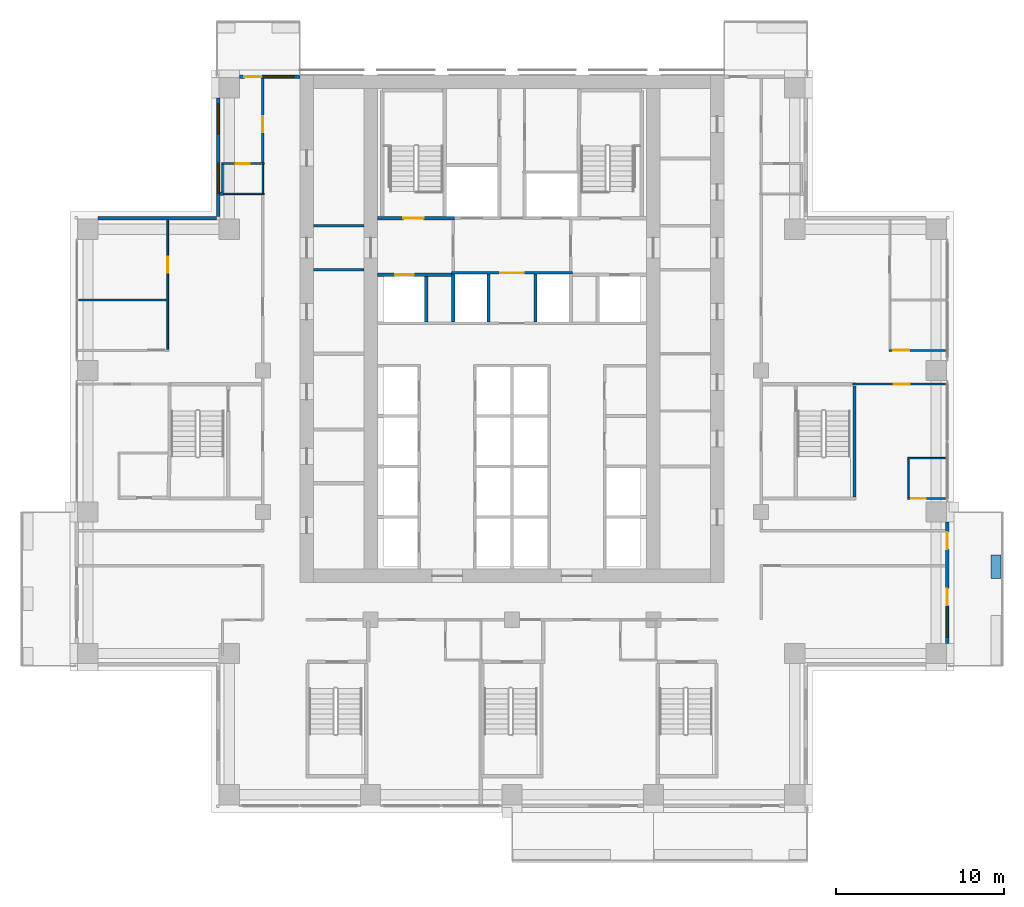
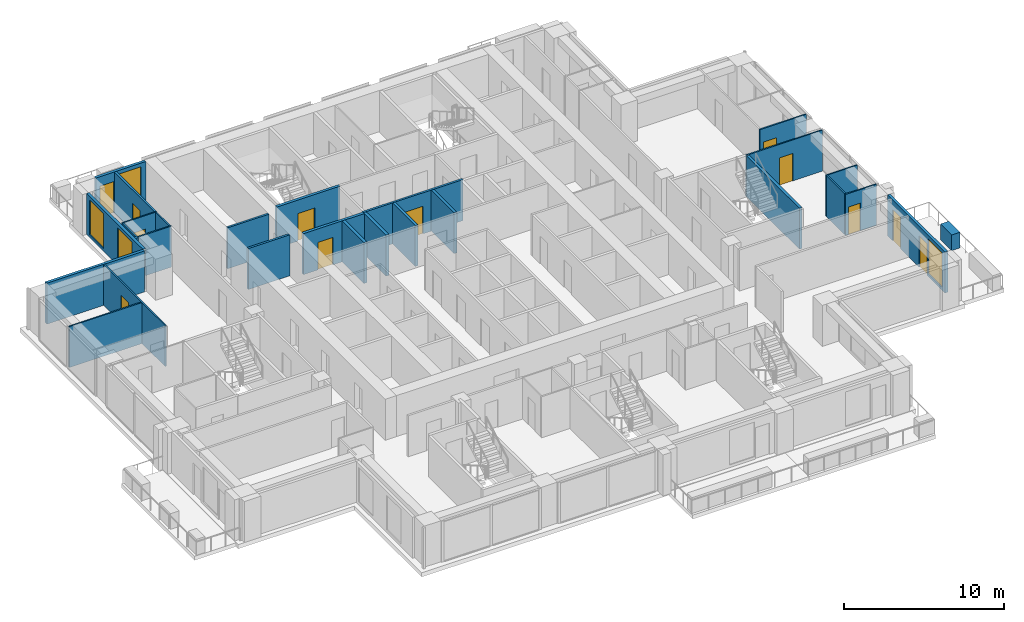
# One storey, part 12 of 18: 28 walls, 12 doors, 4 windows, 16 openings.
"""IFC4 building model written with IfcOpenShell, lengths in metres."""

from ifc_helpers import new_model, si_unit, direction, frame, frame_2d, origin, place, context, subcontext, project, spatial, rectangle, extrude, material, layer, layer_set, type_object, element, fill, save


model = new_model("IFC4")

# Units and contexts
model_context = context("Model", 3, precision=1e-05, world=origin(), true_north=direction((0.0, 1.0)))
body_context = subcontext(model_context, "Body", "Model", "MODEL_VIEW")
ifc_project = project(units=[si_unit("LENGTHUNIT", "METRE"), si_unit("AREAUNIT", "SQUARE_METRE"), si_unit("VOLUMEUNIT", "CUBIC_METRE"), si_unit("PLANEANGLEUNIT", "RADIAN"), si_unit("MASSUNIT", "GRAM", prefix="KILO")], contexts=[model_context])

# Site, building, storey
site_placement = place(None, origin())
site = spatial("IfcSite", under=ifc_project, at=site_placement, CompositionType="ELEMENT")
building_placement = place(site_placement, origin())
building = spatial("IfcBuilding", under=site, at=building_placement, Name="Vermilion Ogive Tower", CompositionType="ELEMENT")
storey_placement = place(building_placement, frame((0.0, 0.0, 94.199951171875)))
storey = spatial("IfcBuildingStorey", under=building, at=storey_placement, Name="L23", CompositionType="ELEMENT", Elevation=94.199951171875)

# Wall, opening, door
ifc_material_1 = material(Name="Gypsum board partition on steel studs", Category="steel")
ifc_layer_1 = layer(ifc_material_1, 0.10009765625)
ifc_layer_set_1 = layer_set([ifc_layer_1], Name="Partition 100 bath")
wall_type_1 = type_object("IfcWallType", Name="Partition 100 bath", PredefinedType="PARTITIONING", material=ifc_layer_set_1)
wall_1_placement = place(storey_placement, frame((23.501953125, -3.39990234375, 0.0), z_axis=(0.0, 0.0, 1.0), x_axis=(1.0, 0.0, 0.0)))
wall_1 = element("IfcWall", 1, at=wall_1_placement, inside=storey, type_object=wall_type_1, Name="L23-W-W020", PredefinedType="PARTITIONING", context=body_context, shape_type="SweptSolid", body=[
    extrude(rectangle(XDim=2.248046875, YDim=0.10009765625, at=frame_2d((1.1240234375, 0.0))), origin(), (0.0, 0.0, 1.0), 3.130126953125),
])
opening_1_placement = place(wall_1_placement, frame((0.222900390625, 0.0, 0.0)))
opening_1 = element("IfcOpeningElement", 2, at=opening_1_placement, cuts=wall_1, Name="Opening D2G2019", PredefinedType="OPENING", context=body_context, shape_type="SweptSolid", body=[
    extrude(rectangle(XDim=0.85009765625, YDim=2.10009765625, at=frame_2d((0.425048828125, 1.050048828125))), frame((0.0, 0.06005859375, 0.0), z_axis=(0.0, -1.0, 0.0), x_axis=(1.0, 0.0, 0.0)), (0.0, 0.0, 1.0), 0.1201171875),
])
ifc_material_2 = material(Name="Timber door leaf", Category="wood")
door_type_1 = type_object("IfcDoorType", Name="Bath door 850 x 2100 FD30", OperationType="SINGLE_SWING_LEFT", PredefinedType="DOOR", material=ifc_material_2)
door_1_placement = place(opening_1_placement, origin())
door_1 = element("IfcDoor", 3, at=door_1_placement, inside=storey, type_object=door_type_1, Name="L23-D-D019", OperationType="SINGLE_SWING_LEFT", OverallHeight=2.10009765625, OverallWidth=0.85009765625, PredefinedType="DOOR", context=body_context, shape_type="SweptSolid", body=[
    extrude(rectangle(XDim=0.85009765625, YDim=2.10009765625, at=frame_2d((0.425048828125, 1.050048828125))), frame((0.0, 0.02490234375, 0.0), z_axis=(0.0, -1.0, 0.0), x_axis=(1.0, 0.0, 0.0)), (0.0, 0.0, 1.0), 0.050048828125),
])
fill(opening_1, door_1)

# Walls
wall_2_placement = place(storey_placement, frame((23.501953125, -1.0, 0.0), z_axis=(0.0, 0.0, 1.0), x_axis=(1.0, 0.0, 0.0)))
element("IfcWall", 4, at=wall_2_placement, inside=storey, type_object=wall_type_1, Name="L23-W-W021", PredefinedType="PARTITIONING", context=body_context, shape_type="SweptSolid", body=[
    extrude(rectangle(XDim=2.248046875, YDim=0.10009765625, at=frame_2d((1.1240234375, 0.0))), origin(), (0.0, 0.0, 1.0), 3.130126953125),
])
wall_3_placement = place(storey_placement, frame((-17.25, 14.699951171875, 0.0), z_axis=(0.0, 0.0, 1.0), x_axis=(1.0, 0.0, 0.0)))
element("IfcWall", 5, at=wall_3_placement, inside=storey, type_object=wall_type_1, Name="L23-W-W032", PredefinedType="PARTITIONING", context=body_context, shape_type="SweptSolid", body=[
    extrude(rectangle(XDim=2.52490234375, YDim=0.10009765625, at=frame_2d((1.262451171875, 0.0))), origin(), (0.0, 0.0, 1.0), 3.130126953125),
])

# Wall, opening, door
wall_4_placement = place(storey_placement, frame((-17.25, 16.5, 0.0), z_axis=(0.0, 0.0, 1.0), x_axis=(1.0, 0.0, 0.0)))
wall_4 = element("IfcWall", 6, at=wall_4_placement, inside=storey, type_object=wall_type_1, Name="L23-W-W035", PredefinedType="PARTITIONING", context=body_context, shape_type="SweptSolid", body=[
    extrude(rectangle(XDim=2.52490234375, YDim=0.10009765625, at=frame_2d((1.262451171875, 0.0))), origin(), (0.0, 0.0, 1.0), 3.130126953125),
])
opening_2_placement = place(wall_4_placement, frame((0.824951171875, 0.0, 0.0)))
opening_2 = element("IfcOpeningElement", 7, at=opening_2_placement, cuts=wall_4, Name="Opening D2G2009", PredefinedType="OPENING", context=body_context, shape_type="SweptSolid", body=[
    extrude(rectangle(XDim=0.85009765625, YDim=2.10009765625, at=frame_2d((0.425048828125, 1.050048828125))), frame((0.0, 0.06005859375, 0.0), z_axis=(0.0, -1.0, 0.0), x_axis=(1.0, 0.0, 0.0)), (0.0, 0.0, 1.0), 0.1201171875),
])
door_2_placement = place(opening_2_placement, origin())
door_2 = element("IfcDoor", 8, at=door_2_placement, inside=storey, type_object=door_type_1, Name="L23-D-D009", OperationType="SINGLE_SWING_RIGHT", OverallHeight=2.10009765625, OverallWidth=0.85009765625, PredefinedType="DOOR", context=body_context, shape_type="SweptSolid", body=[
    extrude(rectangle(XDim=0.85009765625, YDim=2.10009765625, at=frame_2d((0.425048828125, 1.050048828125))), frame((0.0, 0.02490234375, 0.0), z_axis=(0.0, -1.0, 0.0), x_axis=(1.0, 0.0, 0.0)), (0.0, 0.0, 1.0), 0.050048828125),
])
fill(opening_2, door_2)

# Walls
wall_5_placement = place(storey_placement, frame((-17.199951171875, 14.800048828125, 0.0), z_axis=(0.0, 0.0, 1.0), x_axis=(0.0, 1.0, 0.0)))
element("IfcWall", 9, at=wall_5_placement, inside=storey, type_object=wall_type_1, Name="L23-W-W042", PredefinedType="PARTITIONING", context=body_context, shape_type="SweptSolid", body=[
    extrude(rectangle(XDim=1.64990234375, YDim=0.10009765625, at=frame_2d((0.824951171875, 0.0))), origin(), (0.0, 0.0, 1.0), 3.130126953125),
])
wall_6_placement = place(storey_placement, frame((-14.800048828125, 14.75, 0.0), z_axis=(0.0, 0.0, 1.0), x_axis=(0.0, 1.0, 0.0)))
element("IfcWall", 10, at=wall_6_placement, inside=storey, type_object=wall_type_1, Name="L23-W-W046", PredefinedType="PARTITIONING", context=body_context, shape_type="SweptSolid", body=[
    extrude(rectangle(XDim=1.699951171875, YDim=0.10009765625, at=frame_2d((0.85009765625, 0.0))), origin(), (0.0, 0.0, 1.0), 3.130126953125),
])
wall_7_placement = place(storey_placement, frame((23.550048828125, -3.347900390625, 0.0), z_axis=(0.0, 0.0, 1.0), x_axis=(0.0, 1.0, 0.0)))
element("IfcWall", 11, at=wall_7_placement, inside=storey, type_object=wall_type_1, Name="L23-W-W065", PredefinedType="PARTITIONING", context=body_context, shape_type="SweptSolid", body=[
    extrude(rectangle(XDim=2.2958984375, YDim=0.10009765625, at=frame_2d((1.14794921875, 0.0))), origin(), (0.0, 0.0, 1.0), 3.130126953125),
])

# Wall, opening, door
ifc_material_3 = material(Name="Gypsum board partition on steel studs", Category="steel")
ifc_layer_2 = layer(ifc_material_3, 0.10009765625)
ifc_layer_set_2 = layer_set([ifc_layer_2], Name="Partition 100 inner")
wall_type_2 = type_object("IfcWallType", Name="Partition 100 inner", PredefinedType="PARTITIONING", material=ifc_layer_set_2)
wall_8_placement = place(storey_placement, frame((20.25, 3.39990234375, 0.0), z_axis=(0.0, 0.0, 1.0), x_axis=(1.0, 0.0, 0.0)))
wall_8 = element("IfcWall", 12, at=wall_8_placement, inside=storey, type_object=wall_type_2, Name="L23-W-W026", PredefinedType="PARTITIONING", context=body_context, shape_type="SweptSolid", body=[
    extrude(rectangle(XDim=5.5, YDim=0.10009765625, at=frame_2d((2.75, 0.0))), origin(), (0.0, 0.0, 1.0), 3.130126953125),
])
opening_3_placement = place(wall_8_placement, frame((2.425048828125, 0.0, 0.0)))
opening_3 = element("IfcOpeningElement", 13, at=opening_3_placement, cuts=wall_8, Name="Opening D2G2018", PredefinedType="OPENING", context=body_context, shape_type="SweptSolid", body=[
    extrude(rectangle(XDim=0.949951171875, YDim=2.10009765625, at=frame_2d((0.47509765625, 1.050048828125))), frame((0.0, 0.06005859375, 0.0), z_axis=(0.0, -1.0, 0.0), x_axis=(1.0, 0.0, 0.0)), (0.0, 0.0, 1.0), 0.1201171875),
])
ifc_material_4 = material(Name="Timber door leaf", Category="wood")
door_type_2 = type_object("IfcDoorType", Name="Inner door 950 x 2100 FD30", OperationType="SINGLE_SWING_LEFT", PredefinedType="DOOR", material=ifc_material_4)
door_3_placement = place(opening_3_placement, origin())
door_3 = element("IfcDoor", 14, at=door_3_placement, inside=storey, type_object=door_type_2, Name="L23-D-D018", OperationType="SINGLE_SWING_LEFT", OverallHeight=2.10009765625, OverallWidth=0.949951171875, PredefinedType="DOOR", context=body_context, shape_type="SweptSolid", body=[
    extrude(rectangle(XDim=0.949951171875, YDim=2.10009765625, at=frame_2d((0.47509765625, 1.050048828125))), frame((0.0, 0.02490234375, 0.0), z_axis=(0.0, -1.0, 0.0), x_axis=(1.0, 0.0, 0.0)), (0.0, 0.0, 1.0), 0.050048828125),
])
fill(opening_3, door_3)

wall_9_placement = place(storey_placement, frame((22.39990234375, 5.39990234375, 0.0), z_axis=(0.0, 0.0, 1.0), x_axis=(1.0, 0.0, 0.0)))
wall_9 = element("IfcWall", 15, at=wall_9_placement, inside=storey, type_object=wall_type_2, Name="L23-W-W028", PredefinedType="PARTITIONING", context=body_context, shape_type="SweptSolid", body=[
    extrude(rectangle(XDim=3.35009765625, YDim=0.10009765625, at=frame_2d((1.675048828125, 0.0))), origin(), (0.0, 0.0, 1.0), 3.130126953125),
])
opening_4_placement = place(wall_9_placement, frame((0.25, 0.0, 0.0)))
opening_4 = element("IfcOpeningElement", 16, at=opening_4_placement, cuts=wall_9, Name="Opening D2G2015", PredefinedType="OPENING", context=body_context, shape_type="SweptSolid", body=[
    extrude(rectangle(XDim=0.949951171875, YDim=2.10009765625, at=frame_2d((0.47509765625, 1.050048828125))), frame((0.0, 0.06005859375, 0.0), z_axis=(0.0, -1.0, 0.0), x_axis=(1.0, 0.0, 0.0)), (0.0, 0.0, 1.0), 0.1201171875),
])
door_4_placement = place(opening_4_placement, origin())
door_4 = element("IfcDoor", 17, at=door_4_placement, inside=storey, type_object=door_type_2, Name="L23-D-D015", OperationType="SINGLE_SWING_LEFT", OverallHeight=2.10009765625, OverallWidth=0.949951171875, PredefinedType="DOOR", context=body_context, shape_type="SweptSolid", body=[
    extrude(rectangle(XDim=0.949951171875, YDim=2.10009765625, at=frame_2d((0.47509765625, 1.050048828125))), frame((0.0, 0.02490234375, 0.0), z_axis=(0.0, -1.0, 0.0), x_axis=(1.0, 0.0, 0.0)), (0.0, 0.0, 1.0), 0.050048828125),
])
fill(opening_4, door_4)

# Wall
wall_10_placement = place(storey_placement, frame((-25.75, 8.39990234375, 0.0), z_axis=(0.0, 0.0, 1.0), x_axis=(1.0, 0.0, 0.0)))
element("IfcWall", 18, at=wall_10_placement, inside=storey, type_object=wall_type_2, Name="L23-W-W029", PredefinedType="PARTITIONING", context=body_context, shape_type="SweptSolid", body=[
    extrude(rectangle(XDim=5.25, YDim=0.10009765625, at=frame_2d((2.625, 0.0))), origin(), (0.0, 0.0, 1.0), 3.130126953125),
])

# Wall, opening, door
wall_11_placement = place(storey_placement, frame((-20.449951171875, 5.449951171875, 0.0), z_axis=(0.0, 0.0, 1.0), x_axis=(0.0, 1.0, 0.0)))
wall_11 = element("IfcWall", 19, at=wall_11_placement, inside=storey, type_object=wall_type_2, Name="L23-W-W038", PredefinedType="PARTITIONING", context=body_context, shape_type="SweptSolid", body=[
    extrude(rectangle(XDim=7.699951171875, YDim=0.10009765625, at=frame_2d((3.85009765625, 0.0))), origin(), (0.0, 0.0, 1.0), 3.130126953125),
])
opening_5_placement = place(wall_11_placement, frame((4.574951171875, 0.0, 0.0)))
opening_5 = element("IfcOpeningElement", 20, at=opening_5_placement, cuts=wall_11, Name="Opening D2G2004", PredefinedType="OPENING", context=body_context, shape_type="SweptSolid", body=[
    extrude(rectangle(XDim=0.949951171875, YDim=2.10009765625, at=frame_2d((0.47509765625, 1.050048828125))), frame((0.0, 0.06005859375, 0.0), z_axis=(0.0, -1.0, 0.0), x_axis=(1.0, 0.0, 0.0)), (0.0, 0.0, 1.0), 0.1201171875),
])
door_5_placement = place(opening_5_placement, origin())
door_5 = element("IfcDoor", 21, at=door_5_placement, inside=storey, type_object=door_type_2, Name="L23-D-D004", OperationType="SINGLE_SWING_LEFT", OverallHeight=2.10009765625, OverallWidth=0.949951171875, PredefinedType="DOOR", context=body_context, shape_type="SweptSolid", body=[
    extrude(rectangle(XDim=0.949951171875, YDim=2.10009765625, at=frame_2d((0.47509765625, 1.050048828125))), frame((0.0, 0.02490234375, 0.0), z_axis=(0.0, -1.0, 0.0), x_axis=(1.0, 0.0, 0.0)), (0.0, 0.0, 1.0), 0.050048828125),
])
fill(opening_5, door_5)

ifc_material_5 = material(Name="Gypsum board partition on steel studs", Category="steel")
ifc_layer_3 = layer(ifc_material_5, 0.14990234375)
ifc_layer_set_3 = layer_set([ifc_layer_3], Name="Partition 150 corridor")
wall_type_3 = type_object("IfcWallType", Name="Partition 150 corridor", PredefinedType="PARTITIONING", material=ifc_layer_set_3)
wall_12_placement = place(storey_placement, frame((-14.800048828125, 16.550048828125, 0.0), z_axis=(0.0, 0.0, 1.0), x_axis=(0.0, 1.0, 0.0)))
wall_12 = element("IfcWall", 22, at=wall_12_placement, inside=storey, type_object=wall_type_3, Name="L23-W-W047", PredefinedType="PARTITIONING", context=body_context, shape_type="SweptSolid", body=[
    extrude(rectangle(XDim=5.0, YDim=0.14990234375, at=frame_2d((2.5, 0.0))), origin(), (0.0, 0.0, 1.0), 3.130126953125),
])
opening_6_placement = place(wall_12_placement, frame((1.800048828125, 0.0, 0.0)))
opening_6 = element("IfcOpeningElement", 23, at=opening_6_placement, cuts=wall_12, Name="Opening D2G2008", PredefinedType="OPENING", context=body_context, shape_type="SweptSolid", body=[
    extrude(rectangle(XDim=0.949951171875, YDim=2.10009765625, at=frame_2d((0.47509765625, 1.050048828125))), frame((0.0, 0.0849609375, 0.0), z_axis=(0.0, -1.0, 0.0), x_axis=(1.0, 0.0, 0.0)), (0.0, 0.0, 1.0), 0.169921875),
])
ifc_material_6 = material(Name="Timber door leaf", Category="wood")
door_type_3 = type_object("IfcDoorType", Name="Unit door 950 x 2100 FD30S", OperationType="SINGLE_SWING_LEFT", PredefinedType="DOOR", material=ifc_material_6)
door_6_placement = place(opening_6_placement, origin())
door_6 = element("IfcDoor", 24, at=door_6_placement, inside=storey, type_object=door_type_3, Name="L23-D-D008", OperationType="SINGLE_SWING_RIGHT", OverallHeight=2.10009765625, OverallWidth=0.949951171875, PredefinedType="DOOR", context=body_context, shape_type="SweptSolid", body=[
    extrude(rectangle(XDim=0.949951171875, YDim=2.10009765625, at=frame_2d((0.47509765625, 1.050048828125))), frame((0.0, 0.02490234375, 0.0), z_axis=(0.0, -1.0, 0.0), x_axis=(1.0, 0.0, 0.0)), (0.0, 0.0, 1.0), 0.050048828125),
])
fill(opening_6, door_6)

wall_13_placement = place(storey_placement, frame((-3.60009765625, 10.0, 0.0), z_axis=(0.0, 0.0, 1.0), x_axis=(1.0, 0.0, 0.0)))
wall_13 = element("IfcWall", 25, at=wall_13_placement, inside=storey, type_object=wall_type_3, Name="L23-CK-W-W016", PredefinedType="PARTITIONING", context=body_context, shape_type="SweptSolid", body=[
    extrude(rectangle(XDim=7.2001953125, YDim=0.14990234375, at=frame_2d((3.60009765625, 0.0))), origin(), (0.0, 0.0, 1.0), 3.130126953125),
])
opening_7_placement = place(wall_13_placement, frame((2.900146484375, 0.0, 0.0)))
opening_7 = element("IfcOpeningElement", 26, at=opening_7_placement, cuts=wall_13, Name="Opening DAA164", PredefinedType="OPENING", context=body_context, shape_type="SweptSolid", body=[
    extrude(rectangle(XDim=1.39990234375, YDim=2.10009765625, at=frame_2d((0.699951171875, 1.050048828125))), frame((0.0, 0.0849609375, 0.0), z_axis=(0.0, -1.0, 0.0), x_axis=(1.0, 0.0, 0.0)), (0.0, 0.0, 1.0), 0.169921875),
])
ifc_material_7 = material(Name="Timber door leaf", Category="wood")
door_type_4 = type_object("IfcDoorType", Name="Lobby door 1400 x 2100 FD60S", OperationType="SINGLE_SWING_LEFT", PredefinedType="DOOR", material=ifc_material_7)
door_7_placement = place(opening_7_placement, origin())
door_7 = element("IfcDoor", 27, at=door_7_placement, inside=storey, type_object=door_type_4, Name="L23-CK-D-D016", OperationType="SINGLE_SWING_RIGHT", OverallHeight=2.10009765625, OverallWidth=1.39990234375, PredefinedType="DOOR", context=body_context, shape_type="SweptSolid", body=[
    extrude(rectangle(XDim=1.39990234375, YDim=2.10009765625, at=frame_2d((0.699951171875, 1.050048828125))), frame((0.0, 0.02490234375, 0.0), z_axis=(0.0, -1.0, 0.0), x_axis=(1.0, 0.0, 0.0)), (0.0, 0.0, 1.0), 0.050048828125),
])
fill(opening_7, door_7)

# Walls
for number, where, z_axis, x_axis, name in (
    (28, (-11.799072265625, 10.199951171875, 0.0), (0.0, 0.0, 1.0), (1.0, 0.0, 0.0), "L23-CKW-W-W004"),
    (29, (-11.799072265625, 12.800048828125, 0.0), (0.0, 0.0, 1.0), (1.0, 0.0, 0.0), "L23-CKW-W-W005"),
):
    element("IfcWall", number, at=place(storey_placement, frame(where, z_axis=z_axis, x_axis=x_axis)), inside=storey, type_object=wall_type_3, Name=name, PredefinedType="PARTITIONING", context=body_context, shape_type="SweptSolid", body=[
        extrude(rectangle(XDim=2.998046875, YDim=0.14990234375, at=frame_2d((1.4990234375, 0.0))), origin(), (0.0, 0.0, 1.0), 3.130126953125),
    ])
ifc_material_8 = material(Name="Gypsum board partition on steel studs", Category="steel")
ifc_layer_4 = layer(ifc_material_8, 0.199951171875)
ifc_layer_set_4 = layer_set([ifc_layer_4], Name="Partition 200 party")
wall_type_4 = type_object("IfcWallType", Name="Partition 200 party", PredefinedType="PARTITIONING", material=ifc_layer_set_4)
wall_14_placement = place(storey_placement, frame((-17.35009765625, 14.699951171875, 0.0), z_axis=(0.0, 0.0, 1.0), x_axis=(1.0, 0.0, 0.0)))
element("IfcWall", 30, at=wall_14_placement, inside=storey, type_object=wall_type_4, Name="L23-W-W031", PredefinedType="PARTITIONING", context=body_context, shape_type="SweptSolid", body=[
    extrude(rectangle(XDim=0.2001953125, YDim=0.199951171875, at=frame_2d((0.10009765625, 0.0))), origin(), (0.0, 0.0, 1.0), 3.130126953125),
])

# Wall, opening, door
wall_15_placement = place(storey_placement, frame((-7.9990234375, 9.89990234375, 0.0), z_axis=(0.0, 0.0, 1.0), x_axis=(1.0, 0.0, 0.0)))
wall_15 = element("IfcWall", 31, at=wall_15_placement, inside=storey, type_object=wall_type_4, Name="L23-CK-W-W014", PredefinedType="PARTITIONING", context=body_context, shape_type="SweptSolid", body=[
    extrude(rectangle(XDim=4.39892578125, YDim=0.199951171875, at=frame_2d((2.199462890625, 0.0))), origin(), (0.0, 0.0, 1.0), 3.130126953125),
])
opening_8_placement = place(wall_15_placement, frame((1.049072265625, 0.0, 0.0)))
opening_8 = element("IfcOpeningElement", 32, at=opening_8_placement, cuts=wall_15, Name="Opening DAA182", PredefinedType="OPENING", context=body_context, shape_type="SweptSolid", body=[
    extrude(rectangle(XDim=1.10009765625, YDim=2.10009765625, at=frame_2d((0.550048828125, 1.050048828125))), frame((0.0, 0.10986328125, 0.0), z_axis=(0.0, -1.0, 0.0), x_axis=(1.0, 0.0, 0.0)), (0.0, 0.0, 1.0), 0.219970703125),
])
ifc_material_9 = material(Name="Stainless steel", Category="steel")
door_type_5 = type_object("IfcDoorType", Name="Lift landing door 1100 x 2100", OperationType="SLIDING_TO_LEFT", PredefinedType="DOOR", material=ifc_material_9)
door_8_placement = place(opening_8_placement, origin())
door_8 = element("IfcDoor", 33, at=door_8_placement, inside=storey, type_object=door_type_5, Name="L23-CK-D-D012", OperationType="SLIDING_TO_LEFT", OverallHeight=2.10009765625, OverallWidth=1.10009765625, PredefinedType="DOOR", context=body_context, shape_type="SweptSolid", body=[
    extrude(rectangle(XDim=1.10009765625, YDim=2.10009765625, at=frame_2d((0.550048828125, 1.050048828125))), frame((0.0, 0.02490234375, 0.0), z_axis=(0.0, -1.0, 0.0), x_axis=(1.0, 0.0, 0.0)), (0.0, 0.0, 1.0), 0.050048828125),
])
fill(opening_8, door_8)

# Walls
wall_16_placement = place(storey_placement, frame((-5.10009765625, 7.074951171875, 0.0), z_axis=(0.0, 0.0, 1.0), x_axis=(0.0, 1.0, 0.0)))
element("IfcWall", 34, at=wall_16_placement, inside=storey, type_object=wall_type_4, Name="L23-CK-W-W023", PredefinedType="PARTITIONING", context=body_context, shape_type="SweptSolid", body=[
    extrude(rectangle(XDim=2.72509765625, YDim=0.199951171875, at=frame_2d((1.362548828125, 0.0))), origin(), (0.0, 0.0, 1.0), 3.130126953125),
])
for number, where, z_axis, x_axis, name in (
    (35, (-3.5, 7.074951171875, 0.0), (0.0, 0.0, 1.0), (0.0, 1.0, 0.0), "L23-CK-W-W025"),
    (36, (-1.39990234375, 7.074951171875, 0.0), (0.0, 0.0, 1.0), (0.0, 1.0, 0.0), "L23-CK-W-W028"),
    (37, (1.39990234375, 7.074951171875, 0.0), (0.0, 0.0, 1.0), (0.0, 1.0, 0.0), "L23-CK-W-W033"),
):
    element("IfcWall", number, at=place(storey_placement, frame(where, z_axis=z_axis, x_axis=x_axis)), inside=storey, type_object=wall_type_4, Name=name, PredefinedType="PARTITIONING", context=body_context, shape_type="SweptSolid", body=[
        extrude(rectangle(XDim=2.85009765625, YDim=0.199951171875, at=frame_2d((1.425048828125, 0.0))), origin(), (0.0, 0.0, 1.0), 3.130126953125),
    ])

# Wall, opening, door
ifc_material_10 = material(Name="Concrete B60", Category="concrete")
ifc_layer_5 = layer(ifc_material_10, 0.199951171875)
ifc_layer_set_5 = layer_set([ifc_layer_5], Name="Stair shaft wall 200 Concrete B60")
wall_type_5 = type_object("IfcWallType", Name="Stair shaft wall 200 Concrete B60", PredefinedType="SOLIDWALL", material=ifc_layer_set_5)
wall_17_placement = place(storey_placement, frame((-7.9990234375, 13.25, 0.0), z_axis=(0.0, 0.0, 1.0), x_axis=(1.0, 0.0, 0.0)))
wall_17 = element("IfcWall", 38, at=wall_17_placement, inside=storey, type_object=wall_type_5, Name="L23-CK-W-W017", PredefinedType="SOLIDWALL", context=body_context, shape_type="SweptSolid", body=[
    extrude(rectangle(XDim=4.573974609375, YDim=0.199951171875, at=frame_2d((2.287109375, 0.0))), origin(), (0.0, 0.0, 1.0), 3.130126953125),
])
opening_9_placement = place(wall_17_placement, frame((1.549072265625, 0.0, 0.0)))
opening_9 = element("IfcOpeningElement", 39, at=opening_9_placement, cuts=wall_17, Name="Opening DAA170", PredefinedType="OPENING", context=body_context, shape_type="SweptSolid", body=[
    extrude(rectangle(XDim=1.199951171875, YDim=2.10009765625, at=frame_2d((0.60009765625, 1.050048828125))), frame((0.0, 0.10986328125, 0.0), z_axis=(0.0, -1.0, 0.0), x_axis=(1.0, 0.0, 0.0)), (0.0, 0.0, 1.0), 0.219970703125),
])
ifc_material_11 = material(Name="Timber door leaf", Category="wood")
door_type_6 = type_object("IfcDoorType", Name="Stair door 1200 x 2100 FD60S", OperationType="SINGLE_SWING_LEFT", PredefinedType="DOOR", material=ifc_material_11)
door_9_placement = place(opening_9_placement, origin())
door_9 = element("IfcDoor", 40, at=door_9_placement, inside=storey, type_object=door_type_6, Name="L23-CK-D-D011", OperationType="SINGLE_SWING_LEFT", OverallHeight=2.10009765625, OverallWidth=1.199951171875, PredefinedType="DOOR", context=body_context, shape_type="SweptSolid", body=[
    extrude(rectangle(XDim=1.199951171875, YDim=2.10009765625, at=frame_2d((0.60009765625, 1.050048828125))), frame((0.0, 0.02490234375, 0.0), z_axis=(0.0, -1.0, 0.0), x_axis=(1.0, 0.0, 0.0)), (0.0, 0.0, 1.0), 0.050048828125),
])
fill(opening_9, door_9)

# Walls
wall_18_placement = place(storey_placement, frame((20.35009765625, -3.298095703125, 0.0), z_axis=(0.0, 0.0, 1.0), x_axis=(0.0, 1.0, 0.0)))
element("IfcWall", 41, at=wall_18_placement, inside=storey, type_object=wall_type_5, Name="L23-W-W063-A", PredefinedType="SOLIDWALL", context=body_context, shape_type="SweptSolid", body=[
    extrude(rectangle(XDim=6.59814453125, YDim=0.199951171875, at=frame_2d((3.299072265625, 0.0))), origin(), (0.0, 0.0, 1.0), 3.130126953125),
])
ifc_material_12 = material(Name="Concrete B40", Category="concrete")
ifc_layer_6 = layer(ifc_material_12, 0.60009765625)
ifc_layer_set_6 = layer_set([ifc_layer_6], Name="Structural planter")
wall_type_6 = type_object("IfcWallType", Name="Structural planter", PredefinedType="USERDEFINED", material=ifc_layer_set_6)
wall_19_placement = place(storey_placement, frame((28.75, -8.14990234375, -0.0400390625), z_axis=(0.0, 0.0, 1.0), x_axis=(0.0, 1.0, 0.0)))
element("IfcWall", 42, at=wall_19_placement, inside=storey, type_object=wall_type_6, Name="Planter E01A2", ObjectType="PLANTER", PredefinedType="USERDEFINED", context=body_context, shape_type="SweptSolid", body=[
    extrude(rectangle(XDim=1.39990234375, YDim=0.60009765625, at=frame_2d((0.699951171875, 0.0))), origin(), (0.0, 0.0, 1.0), 1.2001953125),
])

# Wall, openings, doors, window
ifc_material_13 = material(Name="Aluminium window wall framing", Category="aluminium")
ifc_layer_7 = layer(ifc_material_13, 0.199951171875)
ifc_layer_set_7 = layer_set([ifc_layer_7], Name="Window wall")
wall_type_7 = type_object("IfcWallType", Name="Window wall", PredefinedType="STANDARD", material=ifc_layer_set_7)
wall_20_placement = place(storey_placement, frame((25.85009765625, -12.0, 0.0), z_axis=(0.0, 0.0, 1.0), x_axis=(0.0, 1.0, 0.0)))
wall_20 = element("IfcWall", 43, at=wall_20_placement, inside=storey, type_object=wall_type_7, Name="Window wall E1", PredefinedType="STANDARD", context=body_context, shape_type="SweptSolid", body=[
    extrude(rectangle(XDim=7.199951171875, YDim=0.199951171875, at=frame_2d((3.60009765625, 0.0))), origin(), (0.0, 0.0, 1.0), 3.130126953125),
])
opening_10_placement = place(wall_20_placement, frame((0.35009765625, 0.0, 0.199951171875)))
opening_10 = element("IfcOpeningElement", 44, at=opening_10_placement, cuts=wall_20, Name="Opening W1-E97", PredefinedType="OPENING", context=body_context, shape_type="SweptSolid", body=[
    extrude(rectangle(XDim=1.800048828125, YDim=2.64990234375, at=frame_2d((0.89990234375, 1.324951171875))), frame((0.0, 0.10986328125, 0.0), z_axis=(0.0, -1.0, 0.0), x_axis=(1.0, 0.0, 0.0)), (0.0, 0.0, 1.0), 0.219970703125),
])
opening_11_placement = place(wall_20_placement, frame((2.25, 0.0, 0.0)))
opening_11 = element("IfcOpeningElement", 45, at=opening_11_placement, cuts=wall_20, Name="Opening D1-E97", PredefinedType="OPENING", context=body_context, shape_type="SweptSolid", body=[
    extrude(rectangle(XDim=1.0, YDim=2.39990234375, at=frame_2d((0.5, 1.199951171875))), frame((0.0, 0.10986328125, 0.0), z_axis=(0.0, -1.0, 0.0), x_axis=(1.0, 0.0, 0.0)), (0.0, 0.0, 1.0), 0.219970703125),
])
opening_12_placement = place(wall_20_placement, frame((5.60009765625, 0.0, 0.0)))
opening_12 = element("IfcOpeningElement", 46, at=opening_12_placement, cuts=wall_20, Name="Opening D1-E98", PredefinedType="OPENING", context=body_context, shape_type="SweptSolid", body=[
    extrude(rectangle(XDim=1.0, YDim=2.39990234375, at=frame_2d((0.5, 1.199951171875))), frame((0.0, 0.10986328125, 0.0), z_axis=(0.0, -1.0, 0.0), x_axis=(1.0, 0.0, 0.0)), (0.0, 0.0, 1.0), 0.219970703125),
])
ifc_material_14 = material(Name="Aluminium framed glazed door", Category="aluminium")
door_type_7 = type_object("IfcDoorType", Name="Balcony door D1", OperationType="SINGLE_SWING_LEFT", PredefinedType="DOOR", material=ifc_material_14)
door_10_placement = place(opening_11_placement, origin())
door_10 = element("IfcDoor", 47, at=door_10_placement, inside=storey, type_object=door_type_7, Name="Balcony door E97", OperationType="SINGLE_SWING_LEFT", OverallHeight=2.39990234375, OverallWidth=1.0, PredefinedType="DOOR", context=body_context, shape_type="SweptSolid", body=[
    extrude(rectangle(XDim=1.0, YDim=2.39990234375, at=frame_2d((0.5, 1.199951171875))), frame((0.0, 0.02490234375, 0.0), z_axis=(0.0, -1.0, 0.0), x_axis=(1.0, 0.0, 0.0)), (0.0, 0.0, 1.0), 0.050048828125),
])
fill(opening_11, door_10)
door_11_placement = place(opening_12_placement, origin())
door_11 = element("IfcDoor", 48, at=door_11_placement, inside=storey, type_object=door_type_7, Name="Balcony door E98", OperationType="SINGLE_SWING_LEFT", OverallHeight=2.39990234375, OverallWidth=1.0, PredefinedType="DOOR", context=body_context, shape_type="SweptSolid", body=[
    extrude(rectangle(XDim=1.0, YDim=2.39990234375, at=frame_2d((0.5, 1.199951171875))), frame((0.0, 0.02490234375, 0.0), z_axis=(0.0, -1.0, 0.0), x_axis=(1.0, 0.0, 0.0)), (0.0, 0.0, 1.0), 0.050048828125),
])
fill(opening_12, door_11)
ifc_material_15 = material(Name="Aluminium framed double glazing", Category="aluminium")
window_type = type_object("IfcWindowType", Name="Guest window W1", PartitioningType="SINGLE_PANEL", PredefinedType="WINDOW", material=ifc_material_15)
window_1_placement = place(opening_10_placement, origin())
window_1 = element("IfcWindow", 49, at=window_1_placement, inside=storey, type_object=window_type, Name="Window E97", OverallHeight=2.64990234375, OverallWidth=1.800048828125, PartitioningType="SINGLE_PANEL", PredefinedType="WINDOW", context=body_context, shape_type="SweptSolid", body=[
    extrude(rectangle(XDim=1.800048828125, YDim=2.64990234375, at=frame_2d((0.89990234375, 1.324951171875))), frame((0.0, 0.030029296875, 0.0), z_axis=(0.0, -1.0, 0.0), x_axis=(1.0, 0.0, 0.0)), (0.0, 0.0, 1.0), 0.06005859375),
])
fill(opening_10, window_1)

# Wall, openings, door, window
wall_21_placement = place(storey_placement, frame((-12.60009765625, 21.64990234375, 0.0), z_axis=(0.0, 0.0, 1.0), x_axis=(-1.0, 0.0, 0.0)))
wall_21 = element("IfcWall", 50, at=wall_21_placement, inside=storey, type_object=wall_type_7, Name="Window wall N21", PredefinedType="STANDARD", context=body_context, shape_type="SweptSolid", body=[
    extrude(rectangle(XDim=3.599853515625, YDim=0.199951171875, at=frame_2d((1.7998046875, 0.0))), origin(), (0.0, 0.0, 1.0), 3.130126953125),
])
opening_13_placement = place(wall_21_placement, frame((0.35009765625, 0.0, 0.199951171875)))
opening_13 = element("IfcOpeningElement", 51, at=opening_13_placement, cuts=wall_21, Name="Opening W1-N296", PredefinedType="OPENING", context=body_context, shape_type="SweptSolid", body=[
    extrude(rectangle(XDim=1.800048828125, YDim=2.64990234375, at=frame_2d((0.89990234375, 1.324951171875))), frame((0.0, 0.10986328125, 0.0), z_axis=(0.0, -1.0, 0.0), x_axis=(1.0, 0.0, 0.0)), (0.0, 0.0, 1.0), 0.219970703125),
])
opening_14_placement = place(wall_21_placement, frame((2.300048828125, 0.0, 0.0)))
opening_14 = element("IfcOpeningElement", 52, at=opening_14_placement, cuts=wall_21, Name="Opening D1-N296", PredefinedType="OPENING", context=body_context, shape_type="SweptSolid", body=[
    extrude(rectangle(XDim=1.0, YDim=2.39990234375, at=frame_2d((0.5, 1.199951171875))), frame((0.0, 0.10986328125, 0.0), z_axis=(0.0, -1.0, 0.0), x_axis=(1.0, 0.0, 0.0)), (0.0, 0.0, 1.0), 0.219970703125),
])
door_12_placement = place(opening_14_placement, origin())
door_12 = element("IfcDoor", 53, at=door_12_placement, inside=storey, type_object=door_type_7, Name="Balcony door N296", OperationType="SINGLE_SWING_LEFT", OverallHeight=2.39990234375, OverallWidth=1.0, PredefinedType="DOOR", context=body_context, shape_type="SweptSolid", body=[
    extrude(rectangle(XDim=1.0, YDim=2.39990234375, at=frame_2d((0.5, 1.199951171875))), frame((0.0, 0.02490234375, 0.0), z_axis=(0.0, -1.0, 0.0), x_axis=(1.0, 0.0, 0.0)), (0.0, 0.0, 1.0), 0.050048828125),
])
fill(opening_14, door_12)
window_2_placement = place(opening_13_placement, origin())
window_2 = element("IfcWindow", 54, at=window_2_placement, inside=storey, type_object=window_type, Name="Window N296", OverallHeight=2.64990234375, OverallWidth=1.800048828125, PartitioningType="SINGLE_PANEL", PredefinedType="WINDOW", context=body_context, shape_type="SweptSolid", body=[
    extrude(rectangle(XDim=1.800048828125, YDim=2.64990234375, at=frame_2d((0.89990234375, 1.324951171875))), frame((0.0, 0.030029296875, 0.0), z_axis=(0.0, -1.0, 0.0), x_axis=(1.0, 0.0, 0.0)), (0.0, 0.0, 1.0), 0.06005859375),
])
fill(opening_13, window_2)

# Wall, openings, windows
wall_22_placement = place(storey_placement, frame((-17.449951171875, 20.39990234375, 0.0), z_axis=(0.0, 0.0, 1.0), x_axis=(0.0, -1.0, 0.0)))
wall_22 = element("IfcWall", 55, at=wall_22_placement, inside=storey, type_object=wall_type_7, Name="Window wall X51", PredefinedType="STANDARD", context=body_context, shape_type="SweptSolid", body=[
    extrude(rectangle(XDim=7.0498046875, YDim=0.199951171875, at=frame_2d((3.52490234375, 0.0))), origin(), (0.0, 0.0, 1.0), 3.130126953125),
])
opening_15_placement = place(wall_22_placement, frame((3.875, 0.0, 0.199951171875)))
opening_15 = element("IfcOpeningElement", 56, at=opening_15_placement, cuts=wall_22, Name="Opening W1-X503", PredefinedType="OPENING", context=body_context, shape_type="SweptSolid", body=[
    extrude(rectangle(XDim=1.800048828125, YDim=2.64990234375, at=frame_2d((0.89990234375, 1.324951171875))), frame((0.0, 0.10986328125, 0.0), z_axis=(0.0, -1.0, 0.0), x_axis=(1.0, 0.0, 0.0)), (0.0, 0.0, 1.0), 0.219970703125),
])
opening_16_placement = place(wall_22_placement, frame((0.35009765625, 0.0, 0.199951171875)))
opening_16 = element("IfcOpeningElement", 57, at=opening_16_placement, cuts=wall_22, Name="Opening W1-X504", PredefinedType="OPENING", context=body_context, shape_type="SweptSolid", body=[
    extrude(rectangle(XDim=1.800048828125, YDim=2.64990234375, at=frame_2d((0.89990234375, 1.324951171875))), frame((0.0, 0.10986328125, 0.0), z_axis=(0.0, -1.0, 0.0), x_axis=(1.0, 0.0, 0.0)), (0.0, 0.0, 1.0), 0.219970703125),
])
window_3_placement = place(opening_15_placement, origin())
window_3 = element("IfcWindow", 58, at=window_3_placement, inside=storey, type_object=window_type, Name="Window X503", OverallHeight=2.64990234375, OverallWidth=1.800048828125, PartitioningType="SINGLE_PANEL", PredefinedType="WINDOW", context=body_context, shape_type="SweptSolid", body=[
    extrude(rectangle(XDim=1.800048828125, YDim=2.64990234375, at=frame_2d((0.89990234375, 1.324951171875))), frame((0.0, 0.030029296875, 0.0), z_axis=(0.0, -1.0, 0.0), x_axis=(1.0, 0.0, 0.0)), (0.0, 0.0, 1.0), 0.06005859375),
])
fill(opening_15, window_3)
window_4_placement = place(opening_16_placement, origin())
window_4 = element("IfcWindow", 59, at=window_4_placement, inside=storey, type_object=window_type, Name="Window X504", OverallHeight=2.64990234375, OverallWidth=1.800048828125, PartitioningType="SINGLE_PANEL", PredefinedType="WINDOW", context=body_context, shape_type="SweptSolid", body=[
    extrude(rectangle(XDim=1.800048828125, YDim=2.64990234375, at=frame_2d((0.89990234375, 1.324951171875))), frame((0.0, 0.030029296875, 0.0), z_axis=(0.0, -1.0, 0.0), x_axis=(1.0, 0.0, 0.0)), (0.0, 0.0, 1.0), 0.06005859375),
])
fill(opening_16, window_4)

# Wall
wall_23_placement = place(storey_placement, frame((-17.550048828125, 13.25, 0.0), z_axis=(0.0, 0.0, 1.0), x_axis=(-1.0, 0.0, 0.0)))
element("IfcWall", 60, at=wall_23_placement, inside=storey, type_object=wall_type_7, Name="Window wall X61", PredefinedType="STANDARD", context=body_context, shape_type="SweptSolid", body=[
    extrude(rectangle(XDim=7.050048828125, YDim=0.199951171875, at=frame_2d((3.52490234375, 0.0))), origin(), (0.0, 0.0, 1.0), 3.130126953125),
])

save(model, "model.ifc")
